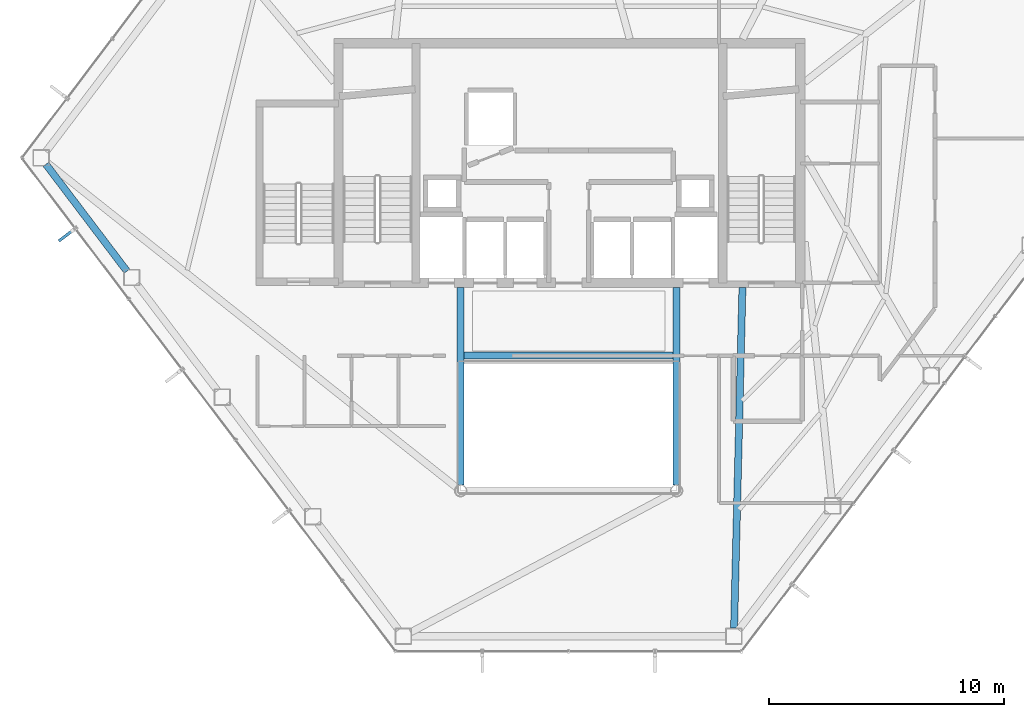
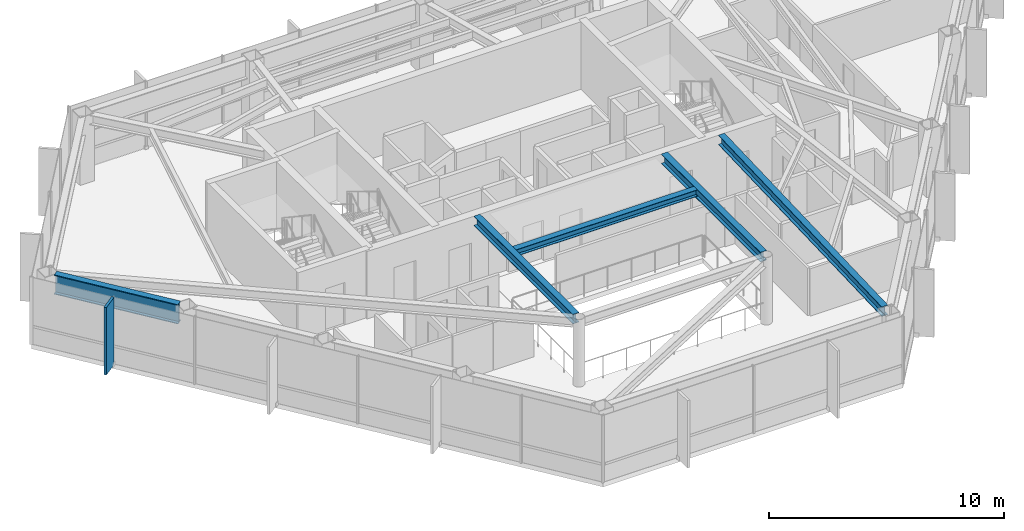
# One storey, part 9 of 27: 5 beams, 1 member, 1 element without a shape of its own.
"""IFC4 building model written with IfcOpenShell, lengths in metres."""

import ifcopenshell
import ifcopenshell.guid

model = None  # the IFC model being written
_history = None  # IfcOwnerHistory: only IFC2X3 demands one
_inside = {}  # id of a spatial element -> (the spatial element, [elements in it])
_under = {}  # id of a project, library or spatial element -> (it, [spatial elements below it])
_declared = {}  # id of a project -> (the project, [libraries it declares])
_typed = {}  # id of a type object -> (the type object, [elements of that type])
_made_of = {}  # id of a material, layer set ... -> (it, [elements and type objects made of it])


def new_model(schema):
    """Start an empty IFC model of exactly this schema.

    Asked for "IFC4X3", IfcOpenShell would pick the latest addendum, in which some entities
    have other attributes; the version numbers below select the first issue.
    IFC2X3 requires an IfcOwnerHistory on every rooted entity: one is made here for all.
    """
    global model, _history
    if schema == "IFC4X3":
        model = ifcopenshell.file(schema_version=(4, 3, 0, 0))
    else:
        model = ifcopenshell.file(schema=schema)
    _inside.clear()
    _under.clear()
    _declared.clear()
    _typed.clear()
    _made_of.clear()
    _history = None
    if model.schema == "IFC2X3":
        org = make("IfcOrganization", Name="unknown")
        user = make(
            "IfcPersonAndOrganization",
            ThePerson=make("IfcPerson", FamilyName="unknown"),
            TheOrganization=org,
        )
        app = make(
            "IfcApplication",
            ApplicationDeveloper=org,
            Version="unknown",
            ApplicationFullName="unknown",
            ApplicationIdentifier="unknown",
        )
        _history = make(
            "IfcOwnerHistory",
            OwningUser=user,
            OwningApplication=app,
            ChangeAction="ADDED",
            CreationDate=0,
        )
    return model


def make(cls, **values):
    """One entity of the class cls with the attributes given. An attribute that is None is left unset."""
    return model.create_entity(
        cls, **{name: value for name, value in values.items() if value is not None}
    )


def rooted(cls, **values):
    """An entity with a GlobalId (a new one), such as an element, a storey or a relation."""
    return make(cls, GlobalId=ifcopenshell.guid.new(), OwnerHistory=_history, **values)


def si_unit(unit_type, name, prefix=None):
    """IfcSIUnit, for example si_unit("LENGTHUNIT", "METRE", prefix="MILLI")."""
    return make("IfcSIUnit", UnitType=unit_type, Prefix=prefix, Name=name)


def assignment(units):
    """IfcUnitAssignment: the units of a project."""
    return None if units is None else make("IfcUnitAssignment", Units=units)


def point(xyz):
    """IfcCartesianPoint."""
    return None if xyz is None else make("IfcCartesianPoint", Coordinates=xyz)


def direction(xyz):
    """IfcDirection."""
    return None if xyz is None else make("IfcDirection", DirectionRatios=xyz)


def frame(location, z_axis=None, x_axis=None):
    """IfcAxis2Placement3D, a coordinate frame: its origin and axes. An axis left out is left unset."""
    return make(
        "IfcAxis2Placement3D",
        Location=point(location),
        Axis=direction(z_axis),
        RefDirection=direction(x_axis),
    )


def frame_2d(location, x_axis=None):
    """IfcAxis2Placement2D, a coordinate frame in the plane: its origin and x axis."""
    return make(
        "IfcAxis2Placement2D", Location=point(location), RefDirection=direction(x_axis)
    )


def origin():
    """The frame at (0, 0, 0) with its axes left unset."""
    return frame((0.0, 0.0, 0.0))


def origin_2d():
    """The frame at (0, 0) in the plane with its x axis left unset."""
    return frame_2d((0.0, 0.0))


def place(relative_to, where):
    """IfcLocalPlacement: puts the frame where relative to a parent placement (None: the world)."""
    return make(
        "IfcLocalPlacement", PlacementRelTo=relative_to, RelativePlacement=where
    )


def context(
    kind, dimensions, precision=None, world=None, true_north=None, identifier=None
):
    """IfcGeometricRepresentationContext, for example the 3D "Model" context."""
    return make(
        "IfcGeometricRepresentationContext",
        ContextIdentifier=identifier,
        ContextType=kind,
        CoordinateSpaceDimension=dimensions,
        Precision=precision,
        WorldCoordinateSystem=world,
        TrueNorth=true_north,
    )


def subcontext(parent, identifier, kind, view, scale=None):
    """IfcGeometricRepresentationSubContext, for example "Body" below "Model"."""
    return make(
        "IfcGeometricRepresentationSubContext",
        ContextIdentifier=identifier,
        ContextType=kind,
        ParentContext=parent,
        TargetScale=scale,
        TargetView=view,
    )


def project(units=None, contexts=None):
    """IfcProject with its units and contexts."""
    return rooted(
        "IfcProject",
        Name="project",
        RepresentationContexts=contexts,
        UnitsInContext=assignment(units),
    )


def spatial(cls, under=None, at=None, **own):
    """A site, building, storey or space (cls), placed at a placement, below another one or the project."""
    s = rooted(cls, ObjectPlacement=at, **own)
    if under is not None:
        _under.setdefault(under.id(), (under, []))[1].append(s)
    return s


def profile(cls, at=None, kind="AREA", **sizes):
    """A parametric profile (cls). Its sizes go by their IFC names, for example OverallWidth=200.0."""
    return make(cls, ProfileType=kind, Position=at, **sizes)


def rectangle(**sizes):
    """IfcRectangleProfileDef."""
    return profile("IfcRectangleProfileDef", **sizes)


def i_section(**sizes):
    """IfcIShapeProfileDef."""
    return profile("IfcIShapeProfileDef", **sizes)


def extrude(swept, where, along, depth):
    """IfcExtrudedAreaSolid: the profile swept, set in the frame where, extruded along a direction by depth."""
    return make(
        "IfcExtrudedAreaSolid",
        SweptArea=swept,
        Position=where,
        ExtrudedDirection=direction(along),
        Depth=depth,
    )


def shape(context_of_items, identifier, shape_type, items):
    """IfcShapeRepresentation: the items that make up one representation, for example the "Body"."""
    return make(
        "IfcShapeRepresentation",
        ContextOfItems=context_of_items,
        RepresentationIdentifier=identifier,
        RepresentationType=shape_type,
        Items=items,
    )


def material(Name=None, Category=None):
    """IfcMaterial."""
    return make("IfcMaterial", Name=Name, Category=Category)


def layer(
    of_material, thickness, ventilated=None, Name=None, Category=None, Priority=None
):
    """IfcMaterialLayer: one layer of a wall or slab, of a material (None: an air gap)."""
    return make(
        "IfcMaterialLayer",
        Material=of_material,
        LayerThickness=thickness,
        IsVentilated=ventilated,
        Name=Name,
        Category=Category,
        Priority=Priority,
    )


def layer_set(layers, Name=None):
    """IfcMaterialLayerSet."""
    return make("IfcMaterialLayerSet", MaterialLayers=layers, LayerSetName=Name)


def material_profile(
    of_material, cross_section, Name=None, Category=None, Priority=None
):
    """IfcMaterialProfile: a cross section and its material."""
    return make(
        "IfcMaterialProfile",
        Name=Name,
        Material=of_material,
        Profile=cross_section,
        Priority=Priority,
        Category=Category,
    )


def profile_set(profiles, Name=None, composite=None):
    """IfcMaterialProfileSet."""
    return make(
        "IfcMaterialProfileSet",
        Name=Name,
        MaterialProfiles=profiles,
        CompositeProfile=composite,
    )


def made_of(thing, what):
    """Note that an element or type object is made of a material, layer set ...; save() writes the relation."""
    if what is not None:
        _made_of.setdefault(what.id(), (what, []))[1].append(thing)
    return thing


def type_object(cls, material=None, **own):
    """A type object (cls), such as IfcWallType, which elements share."""
    return made_of(rooted(cls, **own), material)


def element(
    cls,
    number,
    at=None,
    inside=None,
    cuts=None,
    type_object=None,
    material=None,
    context=None,
    identifier="Body",
    shape_type=None,
    held_by="IfcProductDefinitionShape",
    body=None,
    shapes=None,
    **own,
):
    """One element of the class cls, such as IfcWall. Its Tag is "e" and its number.

    at: its placement. inside: the storey or other place that contains it. cuts: it is an
    opening in that element (IfcRelVoidsElement). A single representation is given by context,
    identifier, shape_type and body (its items); several are given by shapes. held_by: the class
    of the entity that holds the representations. save() writes the other relations.
    """
    e = rooted(cls, Tag="e%d" % number, ObjectPlacement=at, **own)
    if body is not None:
        shapes = [shape(context, identifier, shape_type, body)]
    if shapes is not None:
        e.Representation = make(held_by, Representations=shapes)
    if inside is not None:
        _inside.setdefault(inside.id(), (inside, []))[1].append(e)
    if cuts is not None:
        rooted(
            "IfcRelVoidsElement", RelatingBuildingElement=cuts, RelatedOpeningElement=e
        )
    if type_object is not None:
        _typed.setdefault(type_object.id(), (type_object, []))[1].append(e)
    return made_of(e, material)


def aggregate(whole, parts):
    """IfcRelAggregates: a whole, such as a stair, and the parts it consists of."""
    return rooted("IfcRelAggregates", RelatingObject=whole, RelatedObjects=parts)


def save(model, path):
    """Write the relations noted so far, then the file.

    IfcRelAggregates (storeys below a building ...), IfcRelContainedInSpatialStructure (elements
    in a storey), IfcRelDefinesByType, IfcRelAssociatesMaterial and IfcRelDeclares: one each for
    every whole, place, type object, material and project.
    """
    for whole, parts in _under.values():
        aggregate(whole, parts)
    for where, things in _inside.values():
        rooted(
            "IfcRelContainedInSpatialStructure",
            RelatedElements=things,
            RelatingStructure=where,
        )
    for kind, things in _typed.values():
        rooted("IfcRelDefinesByType", RelatedObjects=things, RelatingType=kind)
    for what, things in _made_of.values():
        rooted("IfcRelAssociatesMaterial", RelatedObjects=things, RelatingMaterial=what)
    for by, libraries in _declared.values():
        rooted("IfcRelDeclares", RelatingContext=by, RelatedDefinitions=libraries)
    model.write(path)


model = new_model("IFC4")

# Units and contexts
model_context = context("Model", 3, precision=1e-05, world=origin(), true_north=direction((0.0, 1.0)))
body_context = subcontext(model_context, "Body", "Model", "MODEL_VIEW")
ifc_project = project(units=[si_unit("LENGTHUNIT", "METRE"), si_unit("AREAUNIT", "SQUARE_METRE"), si_unit("VOLUMEUNIT", "CUBIC_METRE"), si_unit("PLANEANGLEUNIT", "RADIAN"), si_unit("MASSUNIT", "GRAM", prefix="KILO")], contexts=[model_context])

# Site, building, storey
site_placement = place(None, origin())
site = spatial("IfcSite", under=ifc_project, at=site_placement, CompositionType="ELEMENT")
building_placement = place(site_placement, origin())
building = spatial("IfcBuilding", under=site, at=building_placement, Name="Zarrinselat Tower", CompositionType="ELEMENT")
storey_placement = place(building_placement, frame((0.0, 0.0, 179.52001953125)))
storey = spatial("IfcBuildingStorey", under=building, at=storey_placement, Name="L44", CompositionType="ELEMENT", Elevation=179.52001953125)

# Beams
ifc_material_1 = material(Name="Steel S355J2", Category="steel")
ifc_material_profile_1 = material_profile(ifc_material_1, i_section(OverallWidth=0.300048828125, OverallDepth=0.35009765625, WebThickness=0.010009765625, FlangeThickness=0.017578125, at=origin_2d()), Name="HEA 360")
ifc_profile_set_1 = profile_set([ifc_material_profile_1], Name="Steel S355J2")
beam_type_1 = type_object("IfcBeamType", Name="BM-HEA360", PredefinedType="LINTEL", material=ifc_profile_set_1)
beam_1_placement = place(storey_placement, frame((33.93994140625, 30.14990234375, 3.324951171875), z_axis=(1.0, 0.0, 0.0), x_axis=(0.0, 1.0, 0.0)))
element("IfcBeam", 1, at=beam_1_placement, inside=storey, type_object=beam_type_1, Name="L44 Lift Lobby Ceiling Beam", PredefinedType="LINTEL", context=body_context, shape_type="SweptSolid", body=[
    extrude(i_section(OverallWidth=0.300048828125, OverallDepth=0.35009765625, WebThickness=0.010009765625, FlangeThickness=0.017578125, at=origin_2d()), origin(), (0.0, 0.0, 1.0), 8.920166015625),
])
ifc_material_2 = material(Name="Steel S355J2", Category="steel")
ifc_material_profile_2 = material_profile(ifc_material_2, i_section(OverallWidth=0.300048828125, OverallDepth=0.5, WebThickness=0.014404296875, FlangeThickness=0.028076171875, at=origin_2d()), Name="HEB 500")
ifc_profile_set_2 = profile_set([ifc_material_profile_2], Name="Steel S355J2")
beam_type_2 = type_object("IfcBeamType", Name="BM-HEB500", PredefinedType="BEAM", material=ifc_profile_set_2)
for number, where, z_axis, x_axis, name in (
    (2, (33.800048828125, 24.639892578125, 3.25), (0.0, 1.0, 0.0), (-1.0, 0.0, 0.0), "L44 Atrium Edge Beam W"),
    (3, (43.0, 24.639892578125, 3.25), (0.0, 1.0, 0.0), (-1.0, 0.0, 0.0), "L44 Atrium Edge Beam E"),
):
    element("IfcBeam", number, at=place(storey_placement, frame(where, z_axis=z_axis, x_axis=x_axis)), inside=storey, type_object=beam_type_2, Name=name, PredefinedType="BEAM", context=body_context, shape_type="SweptSolid", body=[
        extrude(i_section(OverallWidth=0.300048828125, OverallDepth=0.5, WebThickness=0.014404296875, FlangeThickness=0.028076171875, at=origin_2d()), origin(), (0.0, 0.0, 1.0), 8.420166015625),
    ])
beam_2_placement = place(storey_placement, frame((45.444091796875, 18.55712890625, 3.25), z_axis=(0.024536412531, 0.999698936911, 0.0), x_axis=(-0.999698936911, 0.024536412531, 0.0)))
element("IfcBeam", 4, at=beam_2_placement, inside=storey, type_object=beam_type_2, Name="L44 Radial Primary Girder RG11", PredefinedType="BEAM", context=body_context, shape_type="SweptSolid", body=[
    extrude(i_section(OverallWidth=0.300048828125, OverallDepth=0.5, WebThickness=0.014404296875, FlangeThickness=0.028076171875, at=origin_2d()), origin(), (0.0, 0.0, 1.0), 14.50732421875),
])
ifc_material_3 = material(Name="Steel S460M", Category="steel")
ifc_material_profile_3 = material_profile(ifc_material_3, i_section(OverallWidth=0.302001953125, OverallDepth=1.008056640625, WebThickness=0.02099609375, FlangeThickness=0.0400390625, at=origin_2d()), Name="HEM 1000")
ifc_profile_set_3 = profile_set([ifc_material_profile_3], Name="Steel S460M")
beam_type_3 = type_object("IfcBeamType", Name="BM-HEM1000", PredefinedType="BEAM", material=ifc_profile_set_3)
beam_3_placement = place(storey_placement, frame((16.1396484375, 38.30224609375, 2.99609375), z_axis=(0.60387743851, -0.797077185258, 0.0), x_axis=(0.797077185258, 0.60387743851, 0.0)))
element("IfcBeam", 5, at=beam_3_placement, inside=storey, type_object=beam_type_3, Name="L44 Perimeter Spandrel Girder SP06", PredefinedType="BEAM", context=body_context, shape_type="SweptSolid", body=[
    extrude(i_section(OverallWidth=0.302001953125, OverallDepth=1.008056640625, WebThickness=0.02099609375, FlangeThickness=0.0400390625, at=origin_2d()), origin(), (0.0, 0.0, 1.0), 5.711669921875),
])

# Curtain wall, member
ifc_material_4 = material(Name="Extruded Aluminium Alloy EN AW-6063 T6", Category="aluminium")
ifc_layer = layer(ifc_material_4, 0.175048828125)
ifc_layer_set = layer_set([ifc_layer], Name="Extruded Aluminium Alloy EN AW-6063 T6")
curtain_wall_type = type_object("IfcCurtainWallType", Name="CWS-HTL", PredefinedType="NOTDEFINED", material=ifc_layer_set)
curtain_wall_placement = place(storey_placement, origin())
curtain_wall = element("IfcCurtainWall", 6, at=curtain_wall_placement, inside=storey, type_object=curtain_wall_type, Name="L44 Unitised Curtain Wall CW-L44-E03", PredefinedType="NOTDEFINED")
ifc_material_5 = material(Name="Honed Cream Travertine Stone", Category="masonry")
ifc_material_profile_4 = material_profile(ifc_material_5, rectangle(XDim=0.1201171875, YDim=0.85009765625, at=origin_2d()), Name="FIN 850x120")
ifc_profile_set_4 = profile_set([ifc_material_profile_4], Name="Honed Cream Travertine Stone")
member_type = type_object("IfcMemberType", Name="MEM-STONE-FIN", PredefinedType="USERDEFINED", material=ifc_profile_set_4)
member_placement = place(storey_placement, frame((17.02783203125, 35.29150390625, 0.0), z_axis=(0.0, 0.0, 1.0), x_axis=(-0.603857322892, 0.797092424748, 0.0)))
member = element("IfcMember", 7, at=member_placement, type_object=member_type, Name="L44 Stone Shading Fin CW-L44-E03-01", ObjectType="FIN", PredefinedType="USERDEFINED", context=body_context, shape_type="SweptSolid", body=[
    extrude(rectangle(XDim=0.1201171875, YDim=0.85009765625, at=origin_2d()), origin(), (0.0, 0.0, 1.0), 3.5),
])
aggregate(curtain_wall, [member])

save(model, "model.ifc")
